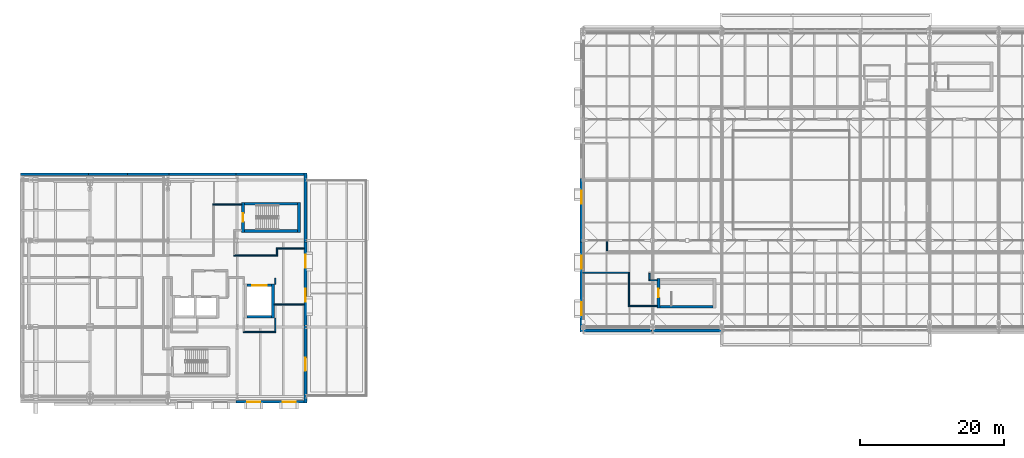
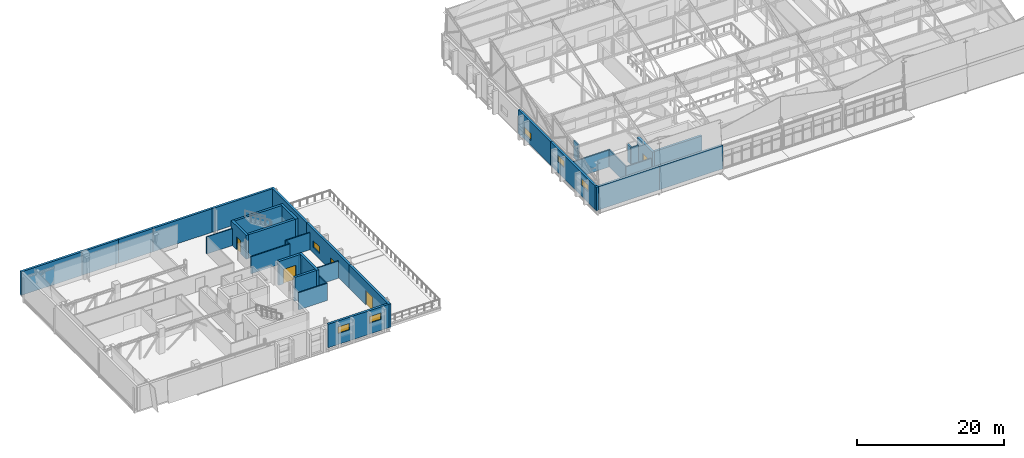
# One storey, part 79 of 89: 36 walls, 7 windows, 4 doors, 11 openings.
"""IFC4 building model written with IfcOpenShell, lengths in metres."""

from ifc_helpers import new_model, si_unit, direction, frame, frame_2d, origin, place, context, subcontext, project, spatial, rectangle, extrude, material, layer, layer_set, type_object, element, fill, save


model = new_model("IFC4")

# Units and contexts
model_context = context("Model", 3, precision=1e-05, world=origin(), true_north=direction((0.0, 1.0)))
body_context = subcontext(model_context, "Body", "Model", "MODEL_VIEW")
ifc_project = project(units=[si_unit("LENGTHUNIT", "METRE"), si_unit("AREAUNIT", "SQUARE_METRE"), si_unit("VOLUMEUNIT", "CUBIC_METRE"), si_unit("PLANEANGLEUNIT", "RADIAN"), si_unit("MASSUNIT", "GRAM", prefix="KILO")], contexts=[model_context])

# Site, building, storey
site_placement = place(None, origin())
site = spatial("IfcSite", under=ifc_project, at=site_placement, CompositionType="ELEMENT")
building_placement = place(site_placement, origin())
building = spatial("IfcBuilding", under=site, at=building_placement, Name="Zereglee Splitstone Museum", CompositionType="ELEMENT")
storey_placement = place(building_placement, frame((0.0, 0.0, 21.300048828125)))
storey = spatial("IfcBuildingStorey", under=building, at=storey_placement, Name="L04", CompositionType="ELEMENT", Elevation=21.300048828125)

# Wall, opening, door
ifc_material_1 = material(Name="Concrete C45/55", Category="concrete")
ifc_layer_1 = layer(ifc_material_1, 0.360107421875)
ifc_layer_set_1 = layer_set([ifc_layer_1], Name="Concrete C45/55")
wall_type_1 = type_object("IfcWallType", Name="CSW-02", PredefinedType="SHEAR", material=ifc_layer_set_1)
wall_1_placement = place(storey_placement, frame((30.820068359375, 22.739990234375, 0.0), z_axis=(0.0, 0.0, 1.0), x_axis=(0.0, 1.0, 0.0)))
wall_1 = element("IfcWall", 1, at=wall_1_placement, inside=storey, type_object=wall_type_1, Name="Stair Core Shear Wall ST-02 L04 West", PredefinedType="SHEAR", context=body_context, shape_type="SweptSolid", body=[
    extrude(rectangle(XDim=4.1201171875, YDim=0.360107421875, at=frame_2d((2.06005859375, 0.0))), origin(), (0.0, 0.0, 1.0), 3.949951171875),
])
opening_1_placement = place(wall_1_placement, frame((1.485107421875, 0.0, 0.0)))
opening_1 = element("IfcOpeningElement", 2, at=opening_1_placement, cuts=wall_1, Name="Opening ID-03", PredefinedType="OPENING", context=body_context, shape_type="SweptSolid", body=[
    extrude(rectangle(XDim=1.14990234375, YDim=2.14990234375, at=frame_2d((0.574951171875, 1.074951171875))), frame((0.0, 0.19482421875, 0.0), z_axis=(0.0, -1.0, 0.0), x_axis=(1.0, 0.0, 0.0)), (0.0, 0.0, 1.0), 0.389892578125),
])
ifc_material_2 = material(Name="Fire-rated steel and Siberian larch leaf", Category="steel")
door_type_1 = type_object("IfcDoorType", Name="ID-03", OperationType="NOTDEFINED", PredefinedType="DOOR", material=ifc_material_2)
door_1_placement = place(opening_1_placement, origin())
door_1 = element("IfcDoor", 3, at=door_1_placement, inside=storey, type_object=door_type_1, Name="Protected Stair Fire Door ST-02 L04", OperationType="SINGLE_SWING_RIGHT", OverallHeight=2.14990234375, OverallWidth=1.14990234375, PredefinedType="DOOR", context=body_context, shape_type="SweptSolid", body=[
    extrude(rectangle(XDim=1.14990234375, YDim=2.14990234375, at=frame_2d((0.574951171875, 1.074951171875))), frame((0.0, 0.02490234375, 0.0), z_axis=(0.0, -1.0, 0.0), x_axis=(1.0, 0.0, 0.0)), (0.0, 0.0, 1.0), 0.050048828125),
])
fill(opening_1, door_1)

# Walls
wall_2_placement = place(storey_placement, frame((38.580078125, 22.739990234375, 0.0), z_axis=(0.0, 0.0, 1.0), x_axis=(0.0, 1.0, 0.0)))
element("IfcWall", 4, at=wall_2_placement, inside=storey, type_object=wall_type_1, Name="Stair Core Shear Wall ST-02 L04 East", PredefinedType="SHEAR", context=body_context, shape_type="SweptSolid", body=[
    extrude(rectangle(XDim=4.1201171875, YDim=0.360107421875, at=frame_2d((2.06005859375, 0.0))), origin(), (0.0, 0.0, 1.0), 3.949951171875),
])
for number, where, z_axis, x_axis, name in (
    (5, (31.0, 26.679931640625, 0.0), (0.0, 0.0, 1.0), (1.0, 0.0, 0.0), "Stair Core Shear Wall ST-02 L04 North"),
    (6, (31.0, 22.919921875, 0.0), (0.0, 0.0, 1.0), (1.0, 0.0, 0.0), "Stair Core Shear Wall ST-02 L04 South"),
):
    element("IfcWall", number, at=place(storey_placement, frame(where, z_axis=z_axis, x_axis=x_axis)), inside=storey, type_object=wall_type_1, Name=name, PredefinedType="SHEAR", context=body_context, shape_type="SweptSolid", body=[
        extrude(rectangle(XDim=7.39990234375, YDim=0.360107421875, at=frame_2d((3.699951171875, 0.0))), origin(), (0.0, 0.0, 1.0), 3.949951171875),
    ])

# Wall, opening, door
wall_3_placement = place(storey_placement, frame((88.419921875, 12.239990234375, 0.0), z_axis=(0.0, 0.0, 1.0), x_axis=(0.0, 1.0, 0.0)))
wall_3 = element("IfcWall", 7, at=wall_3_placement, inside=storey, type_object=wall_type_1, Name="Stair Core Shear Wall ST-06 L04 West", PredefinedType="SHEAR", context=body_context, shape_type="SweptSolid", body=[
    extrude(rectangle(XDim=4.1201171875, YDim=0.360107421875, at=frame_2d((2.06005859375, 0.0))), origin(), (0.0, 0.0, 1.0), 3.949951171875),
])
opening_2_placement = place(wall_3_placement, frame((1.485107421875, 0.0, 0.0)))
opening_2 = element("IfcOpeningElement", 8, at=opening_2_placement, cuts=wall_3, Name="Opening ID-03", PredefinedType="OPENING", context=body_context, shape_type="SweptSolid", body=[
    extrude(rectangle(XDim=1.14990234375, YDim=2.14990234375, at=frame_2d((0.574951171875, 1.074951171875))), frame((0.0, 0.19482421875, 0.0), z_axis=(0.0, -1.0, 0.0), x_axis=(1.0, 0.0, 0.0)), (0.0, 0.0, 1.0), 0.389892578125),
])
door_2_placement = place(opening_2_placement, origin())
door_2 = element("IfcDoor", 9, at=door_2_placement, inside=storey, type_object=door_type_1, Name="Protected Stair Fire Door ST-06 L04", OperationType="SINGLE_SWING_RIGHT", OverallHeight=2.14990234375, OverallWidth=1.14990234375, PredefinedType="DOOR", context=body_context, shape_type="SweptSolid", body=[
    extrude(rectangle(XDim=1.14990234375, YDim=2.14990234375, at=frame_2d((0.574951171875, 1.074951171875))), frame((0.0, 0.02490234375, 0.0), z_axis=(0.0, -1.0, 0.0), x_axis=(1.0, 0.0, 0.0)), (0.0, 0.0, 1.0), 0.050048828125),
])
fill(opening_2, door_2)

# Wall
wall_4_placement = place(storey_placement, frame((88.60009765625, 12.419921875, 0.0), z_axis=(0.0, 0.0, 1.0), x_axis=(1.0, 0.0, 0.0)))
element("IfcWall", 10, at=wall_4_placement, inside=storey, type_object=wall_type_1, Name="Stair Core Shear Wall ST-06 L04 South", PredefinedType="SHEAR", context=body_context, shape_type="SweptSolid", body=[
    extrude(rectangle(XDim=7.39990234375, YDim=0.360107421875, at=frame_2d((3.699951171875, 0.0))), origin(), (0.0, 0.0, 1.0), 3.949951171875),
])

# Wall, opening, door
wall_5_placement = place(storey_placement, frame((31.39990234375, 15.3798828125, 0.0), z_axis=(0.0, 0.0, 1.0), x_axis=(1.0, 0.0, 0.0)))
wall_5 = element("IfcWall", 11, at=wall_5_placement, inside=storey, type_object=wall_type_1, Name="Lift Shaft Wall GL-02 L04 North", PredefinedType="SHEAR", context=body_context, shape_type="SweptSolid", body=[
    extrude(rectangle(XDim=3.400146484375, YDim=0.360107421875, at=frame_2d((1.7001953125, 0.0))), origin(), (0.0, 0.0, 1.0), 3.949951171875),
])
opening_3_placement = place(wall_5_placement, frame((0.699951171875, 0.0, 0.0)))
opening_3 = element("IfcOpeningElement", 12, at=opening_3_placement, cuts=wall_5, Name="Opening LD-03", PredefinedType="OPENING", context=body_context, shape_type="SweptSolid", body=[
    extrude(rectangle(XDim=2.0, YDim=2.39990234375, at=frame_2d((1.0, 1.199951171875))), frame((0.0, 0.19482421875, 0.0), z_axis=(0.0, -1.0, 0.0), x_axis=(1.0, 0.0, 0.0)), (0.0, 0.0, 1.0), 0.389892578125),
])
door_type_2 = type_object("IfcDoorType", Name="LD-03", OperationType="DOUBLE_DOOR_SLIDING", PredefinedType="DOOR", material=ifc_material_2)
door_3_placement = place(opening_3_placement, origin())
door_3 = element("IfcDoor", 13, at=door_3_placement, inside=storey, type_object=door_type_2, Name="Lift Landing Sliding Door GL-02 L04", OperationType="DOUBLE_DOOR_SLIDING", OverallHeight=2.39990234375, OverallWidth=2.0, PredefinedType="DOOR", context=body_context, shape_type="SweptSolid", body=[
    extrude(rectangle(XDim=2.0, YDim=2.39990234375, at=frame_2d((1.0, 1.199951171875))), frame((0.0, 0.02490234375, 0.0), z_axis=(0.0, -1.0, 0.0), x_axis=(1.0, 0.0, 0.0)), (0.0, 0.0, 1.0), 0.050048828125),
])
fill(opening_3, door_3)

# Walls
wall_6_placement = place(storey_placement, frame((31.39990234375, 11.02001953125, 0.0), z_axis=(0.0, 0.0, 1.0), x_axis=(1.0, 0.0, 0.0)))
element("IfcWall", 14, at=wall_6_placement, inside=storey, type_object=wall_type_1, Name="Lift Shaft Wall GL-02 L04 South", PredefinedType="SHEAR", context=body_context, shape_type="SweptSolid", body=[
    extrude(rectangle(XDim=3.400146484375, YDim=0.360107421875, at=frame_2d((1.7001953125, 0.0))), origin(), (0.0, 0.0, 1.0), 3.949951171875),
])
wall_7_placement = place(storey_placement, frame((34.97998046875, 10.840087890625, 0.0), z_axis=(0.0, 0.0, 1.0), x_axis=(0.0, 1.0, 0.0)))
element("IfcWall", 15, at=wall_7_placement, inside=storey, type_object=wall_type_1, Name="Lift Shaft Wall GL-02 L04 East", PredefinedType="SHEAR", context=body_context, shape_type="SweptSolid", body=[
    extrude(rectangle(XDim=4.719970703125, YDim=0.360107421875, at=frame_2d((2.35986328125, 0.0))), origin(), (0.0, 0.0, 1.0), 3.949951171875),
])

# Wall, openings, windows
ifc_material_3 = material(Name="Precast concrete C40/50", Category="concrete")
ifc_layer_2 = layer(ifc_material_3, 0.35009765625)
ifc_layer_set_2 = layer_set([ifc_layer_2], Name="Precast concrete C40/50")
wall_type_2 = type_object("IfcWallType", Name="EW-01", PredefinedType="STANDARD", material=ifc_layer_set_2)
wall_8_placement = place(storey_placement, frame((29.820068359375, -0.780029296875, 0.0), z_axis=(0.0, 0.0, 1.0), x_axis=(1.0, 0.0, 0.0)))
wall_8 = element("IfcWall", 16, at=wall_8_placement, inside=storey, type_object=wall_type_2, Name="Exterior Backup Wall RC4-EW-L04-0210", PredefinedType="STANDARD", context=body_context, shape_type="SweptSolid", body=[
    extrude(rectangle(XDim=9.83984375, YDim=0.35009765625, at=frame_2d((4.919921875, 0.0))), origin(), (0.0, 0.0, 1.0), 3.89990234375),
])
opening_4_placement = place(wall_8_placement, frame((1.56005859375, 0.0, 1.800048828125)))
opening_4 = element("IfcOpeningElement", 17, at=opening_4_placement, cuts=wall_8, Name="Opening EW-W12", PredefinedType="OPENING", context=body_context, shape_type="SweptSolid", body=[
    extrude(rectangle(XDim=1.800048828125, YDim=1.10009765625, at=frame_2d((0.89990234375, 0.550048828125))), frame((0.0, 0.18994140625, 0.0), z_axis=(0.0, -1.0, 0.0), x_axis=(1.0, 0.0, 0.0)), (0.0, 0.0, 1.0), 0.3798828125),
])
opening_5_placement = place(wall_8_placement, frame((6.47998046875, 0.0, 1.800048828125)))
opening_5 = element("IfcOpeningElement", 18, at=opening_5_placement, cuts=wall_8, Name="Opening EW-W12", PredefinedType="OPENING", context=body_context, shape_type="SweptSolid", body=[
    extrude(rectangle(XDim=1.800048828125, YDim=1.10009765625, at=frame_2d((0.89990234375, 0.550048828125))), frame((0.0, 0.18994140625, 0.0), z_axis=(0.0, -1.0, 0.0), x_axis=(1.0, 0.0, 0.0)), (0.0, 0.0, 1.0), 0.3798828125),
])
ifc_material_4 = material(Name="Thermally broken aluminium frame with triple low-e glazing", Category="aluminium")
window_type = type_object("IfcWindowType", Name="EW-W12", PartitioningType="DOUBLE_PANEL_HORIZONTAL", PredefinedType="WINDOW", material=ifc_material_4)
window_1_placement = place(opening_4_placement, origin())
window_1 = element("IfcWindow", 19, at=window_1_placement, inside=storey, type_object=window_type, Name="Mughal Deep-Reveal Gallery Window L04-0138", OverallHeight=1.10009765625, OverallWidth=1.800048828125, PartitioningType="SINGLE_PANEL", PredefinedType="WINDOW", context=body_context, shape_type="SweptSolid", body=[
    extrude(rectangle(XDim=1.800048828125, YDim=1.10009765625, at=frame_2d((0.89990234375, 0.550048828125))), frame((0.0, 0.030029296875, 0.0), z_axis=(0.0, -1.0, 0.0), x_axis=(1.0, 0.0, 0.0)), (0.0, 0.0, 1.0), 0.06005859375),
])
fill(opening_4, window_1)
window_2_placement = place(opening_5_placement, origin())
window_2 = element("IfcWindow", 20, at=window_2_placement, inside=storey, type_object=window_type, Name="Mughal Deep-Reveal Gallery Window L04-0139", OverallHeight=1.10009765625, OverallWidth=1.800048828125, PartitioningType="SINGLE_PANEL", PredefinedType="WINDOW", context=body_context, shape_type="SweptSolid", body=[
    extrude(rectangle(XDim=1.800048828125, YDim=1.10009765625, at=frame_2d((0.89990234375, 0.550048828125))), frame((0.0, 0.030029296875, 0.0), z_axis=(0.0, -1.0, 0.0), x_axis=(1.0, 0.0, 0.0)), (0.0, 0.0, 1.0), 0.06005859375),
])
fill(opening_5, window_2)

# Wall, opening, door
wall_9_placement = place(storey_placement, frame((39.47998046875, -0.9599609375, 0.0), z_axis=(0.0, 0.0, 1.0), x_axis=(0.0, 1.0, 0.0)))
wall_9 = element("IfcWall", 21, at=wall_9_placement, inside=storey, type_object=wall_type_2, Name="Exterior Backup Wall RC4-EW-L04-0211", PredefinedType="STANDARD", context=body_context, shape_type="SweptSolid", body=[
    extrude(rectangle(XDim=10.739990234375, YDim=0.35009765625, at=frame_2d((5.3701171875, 0.0))), origin(), (0.0, 0.0, 1.0), 3.89990234375),
])
opening_6_placement = place(wall_9_placement, frame((4.469970703125, 0.0, 0.0)))
opening_6 = element("IfcOpeningElement", 22, at=opening_6_placement, cuts=wall_9, Name="Opening ED-06", PredefinedType="OPENING", context=body_context, shape_type="SweptSolid", body=[
    extrude(rectangle(XDim=1.800048828125, YDim=2.39990234375, at=frame_2d((0.89990234375, 1.199951171875))), frame((0.0, 0.18994140625, 0.0), z_axis=(0.0, -1.0, 0.0), x_axis=(1.0, 0.0, 0.0)), (0.0, 0.0, 1.0), 0.3798828125),
])
ifc_material_5 = material(Name="Thermally broken aluminium with triple glazing", Category="aluminium")
door_type_3 = type_object("IfcDoorType", Name="ED-06", OperationType="DOUBLE_DOOR_SINGLE_SWING", PredefinedType="DOOR", material=ifc_material_5)
door_4_placement = place(opening_6_placement, origin())
door_4 = element("IfcDoor", 23, at=door_4_placement, inside=storey, type_object=door_type_3, Name="Gallery Terrace Access Door TER-L04-V1E", OperationType="DOUBLE_DOOR_SINGLE_SWING", OverallHeight=2.39990234375, OverallWidth=1.800048828125, PredefinedType="DOOR", context=body_context, shape_type="SweptSolid", body=[
    extrude(rectangle(XDim=1.800048828125, YDim=2.39990234375, at=frame_2d((0.89990234375, 1.199951171875))), frame((0.0, 0.02490234375, 0.0), z_axis=(0.0, -1.0, 0.0), x_axis=(1.0, 0.0, 0.0)), (0.0, 0.0, 1.0), 0.050048828125),
])
fill(opening_6, door_4)

# Wall, openings, windows
wall_10_placement = place(storey_placement, frame((39.47998046875, 9.419921875, 0.0), z_axis=(0.0, 0.0, 1.0), x_axis=(0.0, 1.0, 0.0)))
wall_10 = element("IfcWall", 24, at=wall_10_placement, inside=storey, type_object=wall_type_2, Name="Exterior Backup Wall RC4-EW-L04-0212", PredefinedType="STANDARD", context=body_context, shape_type="SweptSolid", body=[
    extrude(rectangle(XDim=12.360107421875, YDim=0.35009765625, at=frame_2d((6.18017578125, 0.0))), origin(), (0.0, 0.0, 1.0), 3.89990234375),
])
opening_7_placement = place(wall_10_placement, frame((3.68994140625, 0.0, 0.89990234375)))
opening_7 = element("IfcOpeningElement", 25, at=opening_7_placement, cuts=wall_10, Name="Opening EW-W12", PredefinedType="OPENING", context=body_context, shape_type="SweptSolid", body=[
    extrude(rectangle(XDim=1.800048828125, YDim=1.10009765625, at=frame_2d((0.89990234375, 0.550048828125))), frame((0.0, 0.18994140625, 0.0), z_axis=(0.0, -1.0, 0.0), x_axis=(1.0, 0.0, 0.0)), (0.0, 0.0, 1.0), 0.3798828125),
])
opening_8_placement = place(wall_10_placement, frame((8.3701171875, 0.0, 0.89990234375)))
opening_8 = element("IfcOpeningElement", 26, at=opening_8_placement, cuts=wall_10, Name="Opening EW-W12", PredefinedType="OPENING", context=body_context, shape_type="SweptSolid", body=[
    extrude(rectangle(XDim=1.800048828125, YDim=1.10009765625, at=frame_2d((0.89990234375, 0.550048828125))), frame((0.0, 0.18994140625, 0.0), z_axis=(0.0, -1.0, 0.0), x_axis=(1.0, 0.0, 0.0)), (0.0, 0.0, 1.0), 0.3798828125),
])
window_3_placement = place(opening_7_placement, origin())
window_3 = element("IfcWindow", 27, at=window_3_placement, inside=storey, type_object=window_type, Name="Mughal Deep-Reveal Gallery Window L04-0140", OverallHeight=1.10009765625, OverallWidth=1.800048828125, PartitioningType="SINGLE_PANEL", PredefinedType="WINDOW", context=body_context, shape_type="SweptSolid", body=[
    extrude(rectangle(XDim=1.800048828125, YDim=1.10009765625, at=frame_2d((0.89990234375, 0.550048828125))), frame((0.0, 0.030029296875, 0.0), z_axis=(0.0, -1.0, 0.0), x_axis=(1.0, 0.0, 0.0)), (0.0, 0.0, 1.0), 0.06005859375),
])
fill(opening_7, window_3)
window_4_placement = place(opening_8_placement, origin())
window_4 = element("IfcWindow", 28, at=window_4_placement, inside=storey, type_object=window_type, Name="Mughal Deep-Reveal Gallery Window L04-0141", OverallHeight=1.10009765625, OverallWidth=1.800048828125, PartitioningType="SINGLE_PANEL", PredefinedType="WINDOW", context=body_context, shape_type="SweptSolid", body=[
    extrude(rectangle(XDim=1.800048828125, YDim=1.10009765625, at=frame_2d((0.89990234375, 0.550048828125))), frame((0.0, 0.030029296875, 0.0), z_axis=(0.0, -1.0, 0.0), x_axis=(1.0, 0.0, 0.0)), (0.0, 0.0, 1.0), 0.06005859375),
])
fill(opening_8, window_4)

# Walls
wall_11_placement = place(storey_placement, frame((39.47998046875, 21.419921875, 0.0), z_axis=(0.0, 0.0, 1.0), x_axis=(0.0, 1.0, 0.0)))
element("IfcWall", 29, at=wall_11_placement, inside=storey, type_object=wall_type_2, Name="Exterior Backup Wall RC4-EW-L04-0213", PredefinedType="STANDARD", context=body_context, shape_type="SweptSolid", body=[
    extrude(rectangle(XDim=9.5400390625, YDim=0.35009765625, at=frame_2d((4.77001953125, 0.0))), origin(), (0.0, 0.0, 1.0), 3.89990234375),
])
wall_12_placement = place(storey_placement, frame((39.659912109375, 30.780029296875, 0.0), z_axis=(0.0, 0.0, 1.0), x_axis=(-1.0, 0.0, 0.0)))
element("IfcWall", 30, at=wall_12_placement, inside=storey, type_object=wall_type_2, Name="Exterior Backup Wall RC4-EW-L04-0214", PredefinedType="STANDARD", context=body_context, shape_type="SweptSolid", body=[
    extrude(rectangle(XDim=9.83984375, YDim=0.35009765625, at=frame_2d((4.919921875, 0.0))), origin(), (0.0, 0.0, 1.0), 3.89990234375),
])
wall_13_placement = place(storey_placement, frame((30.179931640625, 30.780029296875, 0.0), z_axis=(0.0, 0.0, 1.0), x_axis=(-1.0, 0.0, 0.0)))
element("IfcWall", 31, at=wall_13_placement, inside=storey, type_object=wall_type_2, Name="Exterior Backup Wall RC4-EW-L04-0215", PredefinedType="STANDARD", context=body_context, shape_type="SweptSolid", body=[
    extrude(rectangle(XDim=9.9599609375, YDim=0.35009765625, at=frame_2d((4.97998046875, 0.0))), origin(), (0.0, 0.0, 1.0), 3.89990234375),
])
for number, where, z_axis, x_axis, name in (
    (32, (20.580078125, 30.780029296875, 0.0), (0.0, 0.0, 1.0), (-1.0, 0.0, 0.0), "Exterior Backup Wall RC4-EW-L04-0216"),
    (33, (15.179931640625, 30.780029296875, 0.0), (0.0, 0.0, 1.0), (-1.0, 0.0, 0.0), "Exterior Backup Wall RC4-EW-L04-0217"),
):
    element("IfcWall", number, at=place(storey_placement, frame(where, z_axis=z_axis, x_axis=x_axis)), inside=storey, type_object=wall_type_2, Name=name, PredefinedType="STANDARD", context=body_context, shape_type="SweptSolid", body=[
        extrude(rectangle(XDim=5.760009765625, YDim=0.35009765625, at=frame_2d((2.8798828125, 0.0))), origin(), (0.0, 0.0, 1.0), 3.89990234375),
    ])
wall_14_placement = place(storey_placement, frame((9.780029296875, 30.780029296875, 0.0), z_axis=(0.0, 0.0, 1.0), x_axis=(-1.0, 0.0, 0.0)))
element("IfcWall", 34, at=wall_14_placement, inside=storey, type_object=wall_type_2, Name="Exterior Backup Wall RC4-EW-L04-0218", PredefinedType="STANDARD", context=body_context, shape_type="SweptSolid", body=[
    extrude(rectangle(XDim=9.840087890625, YDim=0.35009765625, at=frame_2d((4.919921875, 0.0))), origin(), (0.0, 0.0, 1.0), 3.89990234375),
])
wall_15_placement = place(storey_placement, frame((77.5400390625, 9.1201171875, 0.0), z_axis=(0.0, 0.0, 1.0), x_axis=(1.0, 0.0, 0.0)))
element("IfcWall", 35, at=wall_15_placement, inside=storey, type_object=wall_type_2, Name="Exterior Backup Wall RC4-EW-L04-0222", PredefinedType="STANDARD", context=body_context, shape_type="SweptSolid", body=[
    extrude(rectangle(XDim=10.239990234375, YDim=0.35009765625, at=frame_2d((5.1201171875, 0.0))), origin(), (0.0, 0.0, 1.0), 3.89990234375),
])
wall_16_placement = place(storey_placement, frame((87.419921875, 9.1201171875, 0.0), z_axis=(0.0, 0.0, 1.0), x_axis=(1.0, 0.0, 0.0)))
element("IfcWall", 36, at=wall_16_placement, inside=storey, type_object=wall_type_2, Name="Exterior Backup Wall RC4-EW-L04-0223", PredefinedType="STANDARD", context=body_context, shape_type="SweptSolid", body=[
    extrude(rectangle(XDim=9.9599609375, YDim=0.35009765625, at=frame_2d((4.97998046875, 0.0))), origin(), (0.0, 0.0, 1.0), 3.89990234375),
])

# Wall, opening, window
wall_17_placement = place(storey_placement, frame((77.719970703125, 30.179931640625, 0.0), z_axis=(0.0, 0.0, 1.0), x_axis=(0.0, -1.0, 0.0)))
wall_17 = element("IfcWall", 37, at=wall_17_placement, inside=storey, type_object=wall_type_2, Name="Exterior Backup Wall RC4-EW-L04-0236", PredefinedType="STANDARD", context=body_context, shape_type="SweptSolid", body=[
    extrude(rectangle(XDim=8.760009765625, YDim=0.35009765625, at=frame_2d((4.3798828125, 0.0))), origin(), (0.0, 0.0, 1.0), 3.89990234375),
])
opening_9_placement = place(wall_17_placement, frame((1.6650390625, 0.0, 0.89990234375)))
opening_9 = element("IfcOpeningElement", 38, at=opening_9_placement, cuts=wall_17, Name="Opening EW-W12", PredefinedType="OPENING", context=body_context, shape_type="SweptSolid", body=[
    extrude(rectangle(XDim=1.800048828125, YDim=1.10009765625, at=frame_2d((0.89990234375, 0.550048828125))), frame((0.0, 0.18994140625, 0.0), z_axis=(0.0, -1.0, 0.0), x_axis=(1.0, 0.0, 0.0)), (0.0, 0.0, 1.0), 0.3798828125),
])
window_5_placement = place(opening_9_placement, origin())
window_5 = element("IfcWindow", 39, at=window_5_placement, inside=storey, type_object=window_type, Name="Mughal Deep-Reveal Gallery Window L04-0150", OverallHeight=1.10009765625, OverallWidth=1.800048828125, PartitioningType="SINGLE_PANEL", PredefinedType="WINDOW", context=body_context, shape_type="SweptSolid", body=[
    extrude(rectangle(XDim=1.800048828125, YDim=1.10009765625, at=frame_2d((0.89990234375, 0.550048828125))), frame((0.0, 0.030029296875, 0.0), z_axis=(0.0, -1.0, 0.0), x_axis=(1.0, 0.0, 0.0)), (0.0, 0.0, 1.0), 0.06005859375),
])
fill(opening_9, window_5)

# Wall, openings, windows
wall_18_placement = place(storey_placement, frame((77.719970703125, 21.780029296875, 0.0), z_axis=(0.0, 0.0, 1.0), x_axis=(0.0, -1.0, 0.0)))
wall_18 = element("IfcWall", 40, at=wall_18_placement, inside=storey, type_object=wall_type_2, Name="Exterior Backup Wall RC4-EW-L04-0237", PredefinedType="STANDARD", context=body_context, shape_type="SweptSolid", body=[
    extrude(rectangle(XDim=12.840087890625, YDim=0.35009765625, at=frame_2d((6.419921875, 0.0))), origin(), (0.0, 0.0, 1.0), 3.89990234375),
])
opening_10_placement = place(wall_18_placement, frame((2.31005859375, 0.0, 1.800048828125)))
opening_10 = element("IfcOpeningElement", 41, at=opening_10_placement, cuts=wall_18, Name="Opening EW-W12", PredefinedType="OPENING", context=body_context, shape_type="SweptSolid", body=[
    extrude(rectangle(XDim=1.800048828125, YDim=1.10009765625, at=frame_2d((0.89990234375, 0.550048828125))), frame((0.0, 0.18994140625, 0.0), z_axis=(0.0, -1.0, 0.0), x_axis=(1.0, 0.0, 0.0)), (0.0, 0.0, 1.0), 0.3798828125),
])
opening_11_placement = place(wall_18_placement, frame((8.72998046875, 0.0, 1.800048828125)))
opening_11 = element("IfcOpeningElement", 42, at=opening_11_placement, cuts=wall_18, Name="Opening EW-W12", PredefinedType="OPENING", context=body_context, shape_type="SweptSolid", body=[
    extrude(rectangle(XDim=1.800048828125, YDim=1.10009765625, at=frame_2d((0.89990234375, 0.550048828125))), frame((0.0, 0.18994140625, 0.0), z_axis=(0.0, -1.0, 0.0), x_axis=(1.0, 0.0, 0.0)), (0.0, 0.0, 1.0), 0.3798828125),
])
window_6_placement = place(opening_10_placement, origin())
window_6 = element("IfcWindow", 43, at=window_6_placement, inside=storey, type_object=window_type, Name="Mughal Deep-Reveal Gallery Window L04-0151", OverallHeight=1.10009765625, OverallWidth=1.800048828125, PartitioningType="SINGLE_PANEL", PredefinedType="WINDOW", context=body_context, shape_type="SweptSolid", body=[
    extrude(rectangle(XDim=1.800048828125, YDim=1.10009765625, at=frame_2d((0.89990234375, 0.550048828125))), frame((0.0, 0.030029296875, 0.0), z_axis=(0.0, -1.0, 0.0), x_axis=(1.0, 0.0, 0.0)), (0.0, 0.0, 1.0), 0.06005859375),
])
fill(opening_10, window_6)
window_7_placement = place(opening_11_placement, origin())
window_7 = element("IfcWindow", 44, at=window_7_placement, inside=storey, type_object=window_type, Name="Mughal Deep-Reveal Gallery Window L04-0152", OverallHeight=1.10009765625, OverallWidth=1.800048828125, PartitioningType="SINGLE_PANEL", PredefinedType="WINDOW", context=body_context, shape_type="SweptSolid", body=[
    extrude(rectangle(XDim=1.800048828125, YDim=1.10009765625, at=frame_2d((0.89990234375, 0.550048828125))), frame((0.0, 0.030029296875, 0.0), z_axis=(0.0, -1.0, 0.0), x_axis=(1.0, 0.0, 0.0)), (0.0, 0.0, 1.0), 0.06005859375),
])
fill(opening_11, window_7)

# Walls
ifc_material_6 = material(Name="Fire-rated gypsum board partition", Category="masonry")
ifc_layer_3 = layer(ifc_material_6, 0.159912109375)
ifc_layer_set_3 = layer_set([ifc_layer_3], Name="Fire-rated gypsum board partition")
wall_type_3 = type_object("IfcWallType", Name="IW-04", PredefinedType="PARTITIONING", material=ifc_layer_set_3)
wall_19_placement = place(storey_placement, frame((29.5, 19.52001953125, 0.0), z_axis=(0.0, 0.0, 1.0), x_axis=(1.0, 0.0, 0.0)))
element("IfcWall", 45, at=wall_19_placement, inside=storey, type_object=wall_type_3, Name="Interior Partition L04-0645 (Conservation Photography Studio)", PredefinedType="PARTITIONING", context=body_context, shape_type="SweptSolid", body=[
    extrude(rectangle(XDim=6.10009765625, YDim=0.159912109375, at=frame_2d((3.050048828125, 0.0))), origin(), (0.0, 0.0, 1.0), 2.829833984375),
])
wall_20_placement = place(storey_placement, frame((35.43994140625, 20.47998046875, 0.0), z_axis=(0.0, 0.0, 1.0), x_axis=(1.0, 0.0, 0.0)))
element("IfcWall", 46, at=wall_20_placement, inside=storey, type_object=wall_type_3, Name="Interior Partition L04-0649 (Conservation Photography Studio)", PredefinedType="PARTITIONING", context=body_context, shape_type="SweptSolid", body=[
    extrude(rectangle(XDim=3.864990234375, YDim=0.159912109375, at=frame_2d((1.9326171875, 0.0))), origin(), (0.0, 0.0, 1.0), 2.829833984375),
])
wall_21_placement = place(storey_placement, frame((26.639892578125, 26.580078125, 0.0), z_axis=(0.0, 0.0, 1.0), x_axis=(1.0, 0.0, 0.0)))
element("IfcWall", 47, at=wall_21_placement, inside=storey, type_object=wall_type_3, Name="Interior Partition L04-0651 (Conservation Photography Studio)", PredefinedType="PARTITIONING", context=body_context, shape_type="SweptSolid", body=[
    extrude(rectangle(XDim=4.0, YDim=0.159912109375, at=frame_2d((2.0, 0.0))), origin(), (0.0, 0.0, 1.0), 2.829833984375),
])
wall_22_placement = place(storey_placement, frame((35.52001953125, 19.60009765625, 0.0), z_axis=(0.0, 0.0, 1.0), x_axis=(0.0, 1.0, 0.0)))
element("IfcWall", 48, at=wall_22_placement, inside=storey, type_object=wall_type_3, Name="Interior Partition L04-0671 (Conservation Photography Studio)", PredefinedType="PARTITIONING", context=body_context, shape_type="SweptSolid", body=[
    extrude(rectangle(XDim=0.7998046875, YDim=0.159912109375, at=frame_2d((0.39990234375, 0.0))), origin(), (0.0, 0.0, 1.0), 2.829833984375),
])
ifc_material_7 = material(Name="Gypsum board on acoustic steel stud", Category="steel")
ifc_layer_4 = layer(ifc_material_7, 0.18994140625)
ifc_layer_set_4 = layer_set([ifc_layer_4], Name="Gypsum board on acoustic steel stud")
wall_type_4 = type_object("IfcWallType", Name="IW-02", PredefinedType="PARTITIONING", material=ifc_layer_set_4)
wall_23_placement = place(storey_placement, frame((30.824951171875, 8.919921875, 0.0), z_axis=(0.0, 0.0, 1.0), x_axis=(1.0, 0.0, 0.0)))
element("IfcWall", 49, at=wall_23_placement, inside=storey, type_object=wall_type_4, Name="Interior Partition L04-0632 (Silk Road Textile Exhibition Gallery)", PredefinedType="PARTITIONING", context=body_context, shape_type="SweptSolid", body=[
    extrude(rectangle(XDim=4.550048828125, YDim=0.18994140625, at=frame_2d((2.27490234375, 0.0))), origin(), (0.0, 0.0, 1.0), 2.829833984375),
])
wall_24_placement = place(storey_placement, frame((84.22509765625, 12.52001953125, 0.0), z_axis=(0.0, 0.0, 1.0), x_axis=(1.0, 0.0, 0.0)))
element("IfcWall", 50, at=wall_24_placement, inside=storey, type_object=wall_type_4, Name="Interior Partition L04-0635 (Top-Lit Sawtooth Exhibition Hall)", PredefinedType="PARTITIONING", context=body_context, shape_type="SweptSolid", body=[
    extrude(rectangle(XDim=4.014892578125, YDim=0.18994140625, at=frame_2d((2.00732421875, 0.0))), origin(), (0.0, 0.0, 1.0), 2.829833984375),
])
wall_25_placement = place(storey_placement, frame((35.159912109375, 12.719970703125, 0.0), z_axis=(0.0, 0.0, 1.0), x_axis=(1.0, 0.0, 0.0)))
element("IfcWall", 51, at=wall_25_placement, inside=storey, type_object=wall_type_4, Name="Interior Partition L04-0636 (Silk Road Textile Exhibition Gallery)", PredefinedType="PARTITIONING", context=body_context, shape_type="SweptSolid", body=[
    extrude(rectangle(XDim=4.14501953125, YDim=0.18994140625, at=frame_2d((2.072509765625, 0.0))), origin(), (0.0, 0.0, 1.0), 2.829833984375),
])
wall_26_placement = place(storey_placement, frame((87.0849609375, 16.080078125, 0.0), z_axis=(0.0, 0.0, 1.0), x_axis=(1.0, 0.0, 0.0)))
element("IfcWall", 52, at=wall_26_placement, inside=storey, type_object=wall_type_4, Name="Interior Partition L04-0638 (Top-Lit Sawtooth Exhibition Hall)", PredefinedType="PARTITIONING", context=body_context, shape_type="SweptSolid", body=[
    extrude(rectangle(XDim=1.155029296875, YDim=0.18994140625, at=frame_2d((0.57763671875, 0.0))), origin(), (0.0, 0.0, 1.0), 2.829833984375),
])
wall_27_placement = place(storey_placement, frame((77.89501953125, 17.1201171875, 0.0), z_axis=(0.0, 0.0, 1.0), x_axis=(1.0, 0.0, 0.0)))
element("IfcWall", 53, at=wall_27_placement, inside=storey, type_object=wall_type_4, Name="Interior Partition L04-0642 (Top-Lit Sawtooth Exhibition Hall)", PredefinedType="PARTITIONING", context=body_context, shape_type="SweptSolid", body=[
    extrude(rectangle(XDim=6.52001953125, YDim=0.18994140625, at=frame_2d((3.260009765625, 0.0))), origin(), (0.0, 0.0, 1.0), 2.829833984375),
])
wall_28_placement = place(storey_placement, frame((35.280029296875, 9.014892578125, 0.0), z_axis=(0.0, 0.0, 1.0), x_axis=(0.0, 1.0, 0.0)))
element("IfcWall", 54, at=wall_28_placement, inside=storey, type_object=wall_type_4, Name="Interior Partition L04-0669 (Silk Road Textile Exhibition Gallery)", PredefinedType="PARTITIONING", context=body_context, shape_type="SweptSolid", body=[
    extrude(rectangle(XDim=1.8251953125, YDim=0.18994140625, at=frame_2d((0.91259765625, 0.0))), origin(), (0.0, 0.0, 1.0), 2.829833984375),
])
wall_29_placement = place(storey_placement, frame((35.280029296875, 15.56005859375, 0.0), z_axis=(0.0, 0.0, 1.0), x_axis=(0.0, 1.0, 0.0)))
element("IfcWall", 55, at=wall_29_placement, inside=storey, type_object=wall_type_4, Name="Interior Partition L04-0670 (Silk Road Textile Exhibition Gallery)", PredefinedType="PARTITIONING", context=body_context, shape_type="SweptSolid", body=[
    extrude(rectangle(XDim=0.829833984375, YDim=0.18994140625, at=frame_2d((0.4150390625, 0.0))), origin(), (0.0, 0.0, 1.0), 2.829833984375),
])
wall_30_placement = place(storey_placement, frame((81.280029296875, 20.175048828125, 0.0), z_axis=(0.0, 0.0, 1.0), x_axis=(0.0, 1.0, 0.0)))
element("IfcWall", 56, at=wall_30_placement, inside=storey, type_object=wall_type_4, Name="Interior Partition L04-0672 (Temporary Exhibition Gallery)", PredefinedType="PARTITIONING", context=body_context, shape_type="SweptSolid", body=[
    extrude(rectangle(XDim=1.304931640625, YDim=0.18994140625, at=frame_2d((0.65234375, 0.0))), origin(), (0.0, 0.0, 1.0), 2.829833984375),
])
wall_31_placement = place(storey_placement, frame((84.320068359375, 12.614990234375, 0.0), z_axis=(0.0, 0.0, 1.0), x_axis=(0.0, 1.0, 0.0)))
element("IfcWall", 57, at=wall_31_placement, inside=storey, type_object=wall_type_4, Name="Interior Partition L04-0674 (Top-Lit Sawtooth Exhibition Hall)", PredefinedType="PARTITIONING", context=body_context, shape_type="SweptSolid", body=[
    extrude(rectangle(XDim=4.409912109375, YDim=0.18994140625, at=frame_2d((2.205078125, 0.0))), origin(), (0.0, 0.0, 1.0), 2.829833984375),
])
wall_32_placement = place(storey_placement, frame((87.179931640625, 16.175048828125, 0.0), z_axis=(0.0, 0.0, 1.0), x_axis=(0.0, 1.0, 0.0)))
element("IfcWall", 58, at=wall_32_placement, inside=storey, type_object=wall_type_4, Name="Interior Partition L04-0675 (Top-Lit Sawtooth Exhibition Hall)", PredefinedType="PARTITIONING", context=body_context, shape_type="SweptSolid", body=[
    extrude(rectangle(XDim=0.849853515625, YDim=0.18994140625, at=frame_2d((0.4248046875, 0.0))), origin(), (0.0, 0.0, 1.0), 2.829833984375),
])

save(model, "model.ifc")
